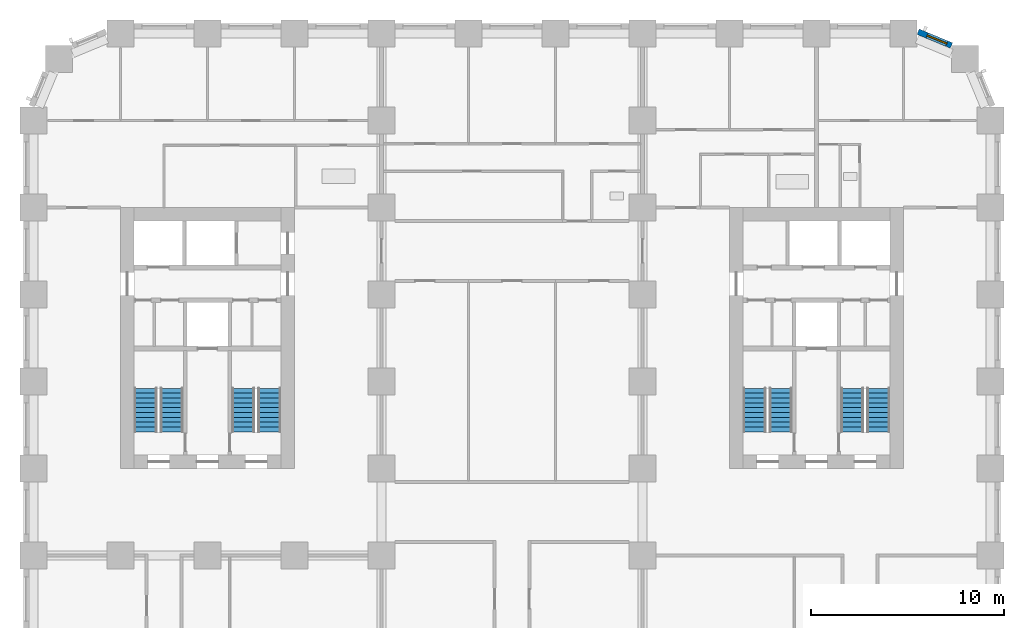
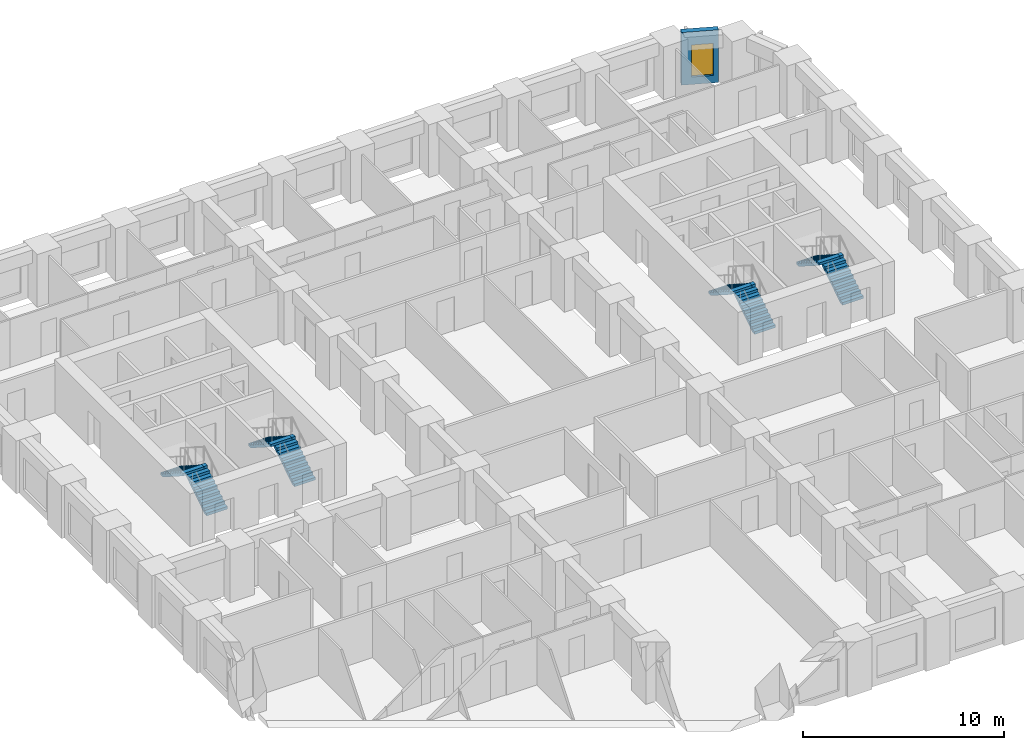
# One storey, part 10 of 13: 8 stair flights, 1 wall, 1 window, 1 opening, 4 elements without a shape of their own.
"""IFC4 building model written with IfcOpenShell, lengths in metres."""

from ifc_helpers import new_model, si_unit, direction, frame, frame_2d, origin, place, context, subcontext, project, spatial, polyline, rectangle, outline, extrude, material, layer, layer_set, type_object, element, fill, aggregate, save


model = new_model("IFC4")

# Units and contexts
model_context = context("Model", 3, precision=1e-05, world=origin(), true_north=direction((0.0, 1.0)))
body_context = subcontext(model_context, "Body", "Model", "MODEL_VIEW")
ifc_project = project(units=[si_unit("LENGTHUNIT", "METRE"), si_unit("AREAUNIT", "SQUARE_METRE"), si_unit("VOLUMEUNIT", "CUBIC_METRE"), si_unit("PLANEANGLEUNIT", "RADIAN"), si_unit("MASSUNIT", "GRAM", prefix="KILO")], contexts=[model_context])

# Site, building, storey
site_placement = place(None, origin())
site = spatial("IfcSite", under=ifc_project, at=site_placement, CompositionType="ELEMENT")
building_placement = place(site_placement, origin())
building = spatial("IfcBuilding", under=site, at=building_placement, Name="Girih Gate Residences", CompositionType="ELEMENT")
storey_placement = place(building_placement, frame((0.0, 0.0, 43.199951171875)))
storey = spatial("IfcBuildingStorey", under=building, at=storey_placement, Name="L10", CompositionType="ELEMENT", Elevation=43.199951171875)

# Wall, opening, window
ifc_material_1 = material(Name="Precast concrete C50/60", Category="concrete")
ifc_layer_1 = layer(ifc_material_1, 0.080078125, Name="Outer leaf")
ifc_material_2 = material(Name="Rigid PIR insulation")
ifc_layer_2 = layer(ifc_material_2, 0.14990234375, Name="Insulation")
ifc_material_3 = material(Name="Precast concrete C40/50", Category="concrete")
ifc_layer_3 = layer(ifc_material_3, 0.070068359375, Name="Inner leaf")
ifc_layer_set = layer_set([ifc_layer_1, ifc_layer_2, ifc_layer_3], Name="Precast concrete C50/60 external wall 300")
wall_type = type_object("IfcWallType", Name="Precast concrete C50/60 external wall 300", PredefinedType="SOLIDWALL", material=ifc_layer_set)
wall_placement = place(storey_placement, frame((45.75732421875, 49.59228515625, 0.0), z_axis=(0.0, 0.0, 1.0), x_axis=(0.923857286003, -0.382737135771, 0.0)))
wall = element("IfcWall", 1, at=wall_placement, inside=storey, type_object=wall_type, Name="External wall NE0482_0482.0", PredefinedType="SOLIDWALL", context=body_context, shape_type="SweptSolid", body=[
    extrude(rectangle(XDim=1.865234375, YDim=0.300048828125, at=frame_2d((0.9326171875, 0.0))), origin(), (0.0, 0.0, 1.0), 3.199951171875),
])
opening_placement = place(wall_placement, frame((0.507568359375, 0.0, 0.449951171875)))
opening = element("IfcOpeningElement", 2, at=opening_placement, cuts=wall, Name="Opening W-2C", PredefinedType="OPENING", context=body_context, shape_type="SweptSolid", body=[
    extrude(rectangle(XDim=1.10009765625, YDim=1.949951171875, at=frame_2d((0.550048828125, 0.97509765625))), frame((0.0, 0.159912109375, 0.0), z_axis=(0.0, -1.0, 0.0), x_axis=(1.0, 0.0, 0.0)), (0.0, 0.0, 1.0), 0.320068359375),
])
ifc_material_4 = material(Name="Double glazing in aluminium frame", Category="aluminium")
window_type = type_object("IfcWindowType", Name="Window W-2C 1100x1950", PartitioningType="SINGLE_PANEL", PredefinedType="WINDOW", material=ifc_material_4)
window_placement = place(opening_placement, origin())
window = element("IfcWindow", 3, at=window_placement, inside=storey, type_object=window_type, Name="Window W-2C NE0482_0482.0", OverallHeight=1.949951171875, OverallWidth=1.10009765625, PartitioningType="SINGLE_PANEL", PredefinedType="WINDOW", context=body_context, shape_type="SweptSolid", body=[
    extrude(rectangle(XDim=1.10009765625, YDim=1.949951171875, at=frame_2d((0.550048828125, 0.97509765625))), frame((0.0, 0.030029296875, 0.0), z_axis=(0.0, -1.0, 0.0), x_axis=(1.0, 0.0, 0.0)), (0.0, 0.0, 1.0), 0.06005859375),
])
fill(opening, window)

# Stair, stair flights
ifc_material_5 = material(Name="Concrete C40/50", Category="concrete")
stair_type = type_object("IfcStairType", Name="Exit stair", PredefinedType="HALF_TURN_STAIR", material=ifc_material_5)
stair_1_placement = place(storey_placement, origin())
stair_1 = element("IfcStair", 4, at=stair_1_placement, inside=storey, type_object=stair_type, Name="L10 Exit Stair ST-W1", PredefinedType="HALF_TURN_STAIR")
stair_flight_type = type_object("IfcStairFlightType", Name="Stair flight 1200", PredefinedType="STRAIGHT", material=ifc_material_5)
stair_flight_1_placement = place(storey_placement, frame((7.14990234375, 28.89990234375, 0.0), z_axis=(0.0, 0.0, 1.0), x_axis=(0.0, 1.0, 0.0)))
stair_flight_1 = element("IfcStairFlight", 5, at=stair_flight_1_placement, type_object=stair_flight_type, Name="ST-W1 flight 1", NumberOfRisers=10, NumberOfTreads=9, PredefinedType="STRAIGHT", RiserHeight=0.16, TreadLength=0.25, context=body_context, shape_type="SweptSolid", body=[
    extrude(outline(polyline([(0.0, 0.0), (0.0, 0.159912109375), (0.25, 0.159912109375), (0.25, 0.320068359375), (0.5, 0.320068359375), (0.5, 0.47998046875), (0.75, 0.47998046875), (0.75, 0.639892578125), (1.0, 0.639892578125), (1.0, 0.800048828125), (1.25, 0.800048828125), (1.25, 0.9599609375), (1.5, 0.9599609375), (1.5, 1.1201171875), (1.75, 1.1201171875), (1.75, 1.280029296875), (2.0, 1.280029296875), (2.0, 1.43994140625), (2.25, 1.43994140625), (2.25, 1.60009765625), (2.25, 1.29736328125), (0.222900390625, 0.0), (0.0, 0.0)])), frame((0.0, 0.60009765625, 0.0), z_axis=(0.0, -1.0, 0.0), x_axis=(1.0, 0.0, 0.0)), (0.0, 0.0, 1.0), 1.199951171875),
])
stair_flight_2_placement = place(storey_placement, frame((5.800048828125, 31.14990234375, 1.60009765625), z_axis=(0.0, 0.0, 1.0), x_axis=(0.0, -1.0, 0.0)))
stair_flight_2 = element("IfcStairFlight", 6, at=stair_flight_2_placement, type_object=stair_flight_type, Name="ST-W1 flight 2", NumberOfRisers=10, NumberOfTreads=9, PredefinedType="STRAIGHT", RiserHeight=0.16, TreadLength=0.25, context=body_context, shape_type="SweptSolid", body=[
    extrude(outline(polyline([(0.0, 0.0), (0.0, 0.159912109375), (0.25, 0.159912109375), (0.25, 0.320068359375), (0.5, 0.320068359375), (0.5, 0.47998046875), (0.75, 0.47998046875), (0.75, 0.639892578125), (1.0, 0.639892578125), (1.0, 0.800048828125), (1.25, 0.800048828125), (1.25, 0.9599609375), (1.5, 0.9599609375), (1.5, 1.1201171875), (1.75, 1.1201171875), (1.75, 1.280029296875), (2.0, 1.280029296875), (2.0, 1.43994140625), (2.25, 1.43994140625), (2.25, 1.60009765625), (2.25, 1.29736328125), (0.222900390625, 0.0), (0.0, 0.0)])), frame((0.0, 0.60009765625, 0.0), z_axis=(0.0, -1.0, 0.0), x_axis=(1.0, 0.0, 0.0)), (0.0, 0.0, 1.0), 1.199951171875),
])
aggregate(stair_1, [stair_flight_1, stair_flight_2])

stair_2_placement = place(storey_placement, origin())
stair_2 = element("IfcStair", 7, at=stair_2_placement, inside=storey, type_object=stair_type, Name="L10 Exit Stair ST-W2", PredefinedType="HALF_TURN_STAIR")
stair_flight_3_placement = place(storey_placement, frame((12.199951171875, 28.89990234375, 0.0), z_axis=(0.0, 0.0, 1.0), x_axis=(0.0, 1.0, 0.0)))
stair_flight_3 = element("IfcStairFlight", 8, at=stair_flight_3_placement, type_object=stair_flight_type, Name="ST-W2 flight 1", NumberOfRisers=10, NumberOfTreads=9, PredefinedType="STRAIGHT", RiserHeight=0.16, TreadLength=0.25, context=body_context, shape_type="SweptSolid", body=[
    extrude(outline(polyline([(0.0, 0.0), (0.0, 0.159912109375), (0.25, 0.159912109375), (0.25, 0.320068359375), (0.5, 0.320068359375), (0.5, 0.47998046875), (0.75, 0.47998046875), (0.75, 0.639892578125), (1.0, 0.639892578125), (1.0, 0.800048828125), (1.25, 0.800048828125), (1.25, 0.9599609375), (1.5, 0.9599609375), (1.5, 1.1201171875), (1.75, 1.1201171875), (1.75, 1.280029296875), (2.0, 1.280029296875), (2.0, 1.43994140625), (2.25, 1.43994140625), (2.25, 1.60009765625), (2.25, 1.29736328125), (0.222900390625, 0.0), (0.0, 0.0)])), frame((0.0, 0.60009765625, 0.0), z_axis=(0.0, -1.0, 0.0), x_axis=(1.0, 0.0, 0.0)), (0.0, 0.0, 1.0), 1.199951171875),
])
stair_flight_4_placement = place(storey_placement, frame((10.85009765625, 31.14990234375, 1.60009765625), z_axis=(0.0, 0.0, 1.0), x_axis=(0.0, -1.0, 0.0)))
stair_flight_4 = element("IfcStairFlight", 9, at=stair_flight_4_placement, type_object=stair_flight_type, Name="ST-W2 flight 2", NumberOfRisers=10, NumberOfTreads=9, PredefinedType="STRAIGHT", RiserHeight=0.16, TreadLength=0.25, context=body_context, shape_type="SweptSolid", body=[
    extrude(outline(polyline([(0.0, 0.0), (0.0, 0.159912109375), (0.25, 0.159912109375), (0.25, 0.320068359375), (0.5, 0.320068359375), (0.5, 0.47998046875), (0.75, 0.47998046875), (0.75, 0.639892578125), (1.0, 0.639892578125), (1.0, 0.800048828125), (1.25, 0.800048828125), (1.25, 0.9599609375), (1.5, 0.9599609375), (1.5, 1.1201171875), (1.75, 1.1201171875), (1.75, 1.280029296875), (2.0, 1.280029296875), (2.0, 1.43994140625), (2.25, 1.43994140625), (2.25, 1.60009765625), (2.25, 1.29736328125), (0.222900390625, 0.0), (0.0, 0.0)])), frame((0.0, 0.60009765625, 0.0), z_axis=(0.0, -1.0, 0.0), x_axis=(1.0, 0.0, 0.0)), (0.0, 0.0, 1.0), 1.199951171875),
])
aggregate(stair_2, [stair_flight_3, stair_flight_4])

stair_3_placement = place(storey_placement, origin())
stair_3 = element("IfcStair", 10, at=stair_3_placement, inside=storey, type_object=stair_type, Name="L10 Exit Stair ST-E1", PredefinedType="HALF_TURN_STAIR")
stair_flight_5_placement = place(storey_placement, frame((43.699951171875, 28.89990234375, 0.0), z_axis=(0.0, 0.0, 1.0), x_axis=(0.0, 1.0, 0.0)))
stair_flight_5 = element("IfcStairFlight", 11, at=stair_flight_5_placement, type_object=stair_flight_type, Name="ST-E1 flight 1", NumberOfRisers=10, NumberOfTreads=9, PredefinedType="STRAIGHT", RiserHeight=0.16, TreadLength=0.25, context=body_context, shape_type="SweptSolid", body=[
    extrude(outline(polyline([(0.0, 0.0), (0.0, 0.159912109375), (0.25, 0.159912109375), (0.25, 0.320068359375), (0.5, 0.320068359375), (0.5, 0.47998046875), (0.75, 0.47998046875), (0.75, 0.639892578125), (1.0, 0.639892578125), (1.0, 0.800048828125), (1.25, 0.800048828125), (1.25, 0.9599609375), (1.5, 0.9599609375), (1.5, 1.1201171875), (1.75, 1.1201171875), (1.75, 1.280029296875), (2.0, 1.280029296875), (2.0, 1.43994140625), (2.25, 1.43994140625), (2.25, 1.60009765625), (2.25, 1.29736328125), (0.222900390625, 0.0), (0.0, 0.0)])), frame((0.0, 0.60009765625, 0.0), z_axis=(0.0, -1.0, 0.0), x_axis=(1.0, 0.0, 0.0)), (0.0, 0.0, 1.0), 1.199951171875),
])
stair_flight_6_placement = place(storey_placement, frame((42.35009765625, 31.14990234375, 1.60009765625), z_axis=(0.0, 0.0, 1.0), x_axis=(0.0, -1.0, 0.0)))
stair_flight_6 = element("IfcStairFlight", 12, at=stair_flight_6_placement, type_object=stair_flight_type, Name="ST-E1 flight 2", NumberOfRisers=10, NumberOfTreads=9, PredefinedType="STRAIGHT", RiserHeight=0.16, TreadLength=0.25, context=body_context, shape_type="SweptSolid", body=[
    extrude(outline(polyline([(0.0, 0.0), (0.0, 0.159912109375), (0.25, 0.159912109375), (0.25, 0.320068359375), (0.5, 0.320068359375), (0.5, 0.47998046875), (0.75, 0.47998046875), (0.75, 0.639892578125), (1.0, 0.639892578125), (1.0, 0.800048828125), (1.25, 0.800048828125), (1.25, 0.9599609375), (1.5, 0.9599609375), (1.5, 1.1201171875), (1.75, 1.1201171875), (1.75, 1.280029296875), (2.0, 1.280029296875), (2.0, 1.43994140625), (2.25, 1.43994140625), (2.25, 1.60009765625), (2.25, 1.29736328125), (0.222900390625, 0.0), (0.0, 0.0)])), frame((0.0, 0.60009765625, 0.0), z_axis=(0.0, -1.0, 0.0), x_axis=(1.0, 0.0, 0.0)), (0.0, 0.0, 1.0), 1.199951171875),
])
aggregate(stair_3, [stair_flight_5, stair_flight_6])

stair_4_placement = place(storey_placement, origin())
stair_4 = element("IfcStair", 13, at=stair_4_placement, inside=storey, type_object=stair_type, Name="L10 Exit Stair ST-E2", PredefinedType="HALF_TURN_STAIR")
stair_flight_7_placement = place(storey_placement, frame((38.64990234375, 28.89990234375, 0.0), z_axis=(0.0, 0.0, 1.0), x_axis=(0.0, 1.0, 0.0)))
stair_flight_7 = element("IfcStairFlight", 14, at=stair_flight_7_placement, type_object=stair_flight_type, Name="ST-E2 flight 1", NumberOfRisers=10, NumberOfTreads=9, PredefinedType="STRAIGHT", RiserHeight=0.16, TreadLength=0.25, context=body_context, shape_type="SweptSolid", body=[
    extrude(outline(polyline([(0.0, 0.0), (0.0, 0.159912109375), (0.25, 0.159912109375), (0.25, 0.320068359375), (0.5, 0.320068359375), (0.5, 0.47998046875), (0.75, 0.47998046875), (0.75, 0.639892578125), (1.0, 0.639892578125), (1.0, 0.800048828125), (1.25, 0.800048828125), (1.25, 0.9599609375), (1.5, 0.9599609375), (1.5, 1.1201171875), (1.75, 1.1201171875), (1.75, 1.280029296875), (2.0, 1.280029296875), (2.0, 1.43994140625), (2.25, 1.43994140625), (2.25, 1.60009765625), (2.25, 1.29736328125), (0.222900390625, 0.0), (0.0, 0.0)])), frame((0.0, 0.60009765625, 0.0), z_axis=(0.0, -1.0, 0.0), x_axis=(1.0, 0.0, 0.0)), (0.0, 0.0, 1.0), 1.199951171875),
])
stair_flight_8_placement = place(storey_placement, frame((37.300048828125, 31.14990234375, 1.60009765625), z_axis=(0.0, 0.0, 1.0), x_axis=(0.0, -1.0, 0.0)))
stair_flight_8 = element("IfcStairFlight", 15, at=stair_flight_8_placement, type_object=stair_flight_type, Name="ST-E2 flight 2", NumberOfRisers=10, NumberOfTreads=9, PredefinedType="STRAIGHT", RiserHeight=0.16, TreadLength=0.25, context=body_context, shape_type="SweptSolid", body=[
    extrude(outline(polyline([(0.0, 0.0), (0.0, 0.159912109375), (0.25, 0.159912109375), (0.25, 0.320068359375), (0.5, 0.320068359375), (0.5, 0.47998046875), (0.75, 0.47998046875), (0.75, 0.639892578125), (1.0, 0.639892578125), (1.0, 0.800048828125), (1.25, 0.800048828125), (1.25, 0.9599609375), (1.5, 0.9599609375), (1.5, 1.1201171875), (1.75, 1.1201171875), (1.75, 1.280029296875), (2.0, 1.280029296875), (2.0, 1.43994140625), (2.25, 1.43994140625), (2.25, 1.60009765625), (2.25, 1.29736328125), (0.222900390625, 0.0), (0.0, 0.0)])), frame((0.0, 0.60009765625, 0.0), z_axis=(0.0, -1.0, 0.0), x_axis=(1.0, 0.0, 0.0)), (0.0, 0.0, 1.0), 1.199951171875),
])
aggregate(stair_4, [stair_flight_7, stair_flight_8])

save(model, "model.ifc")
